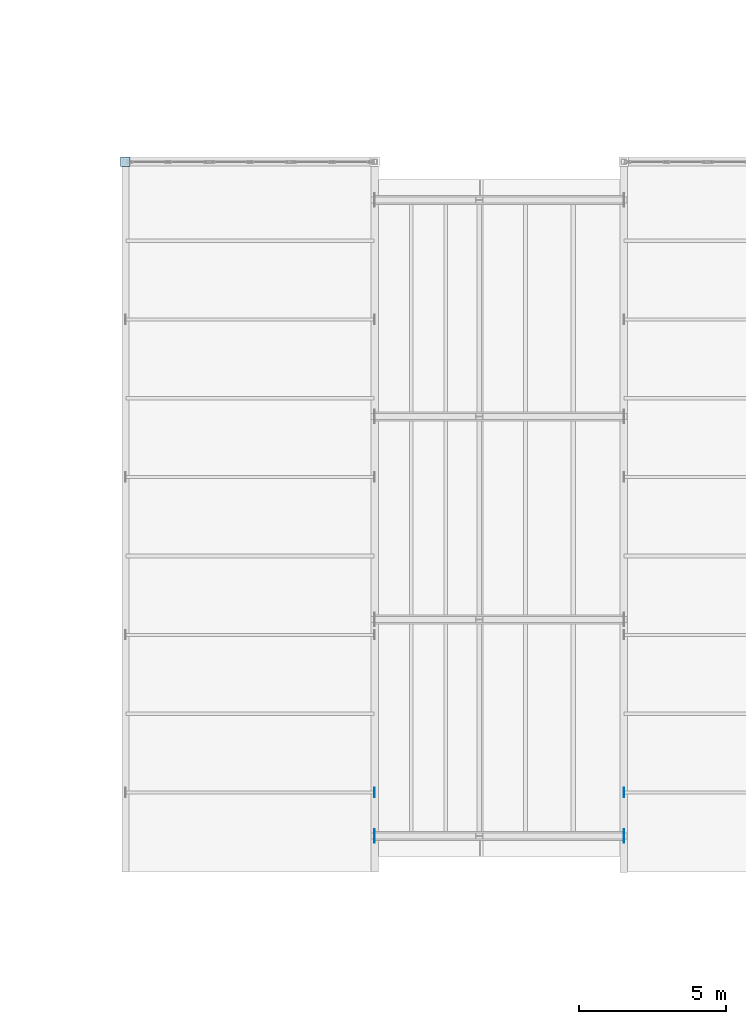
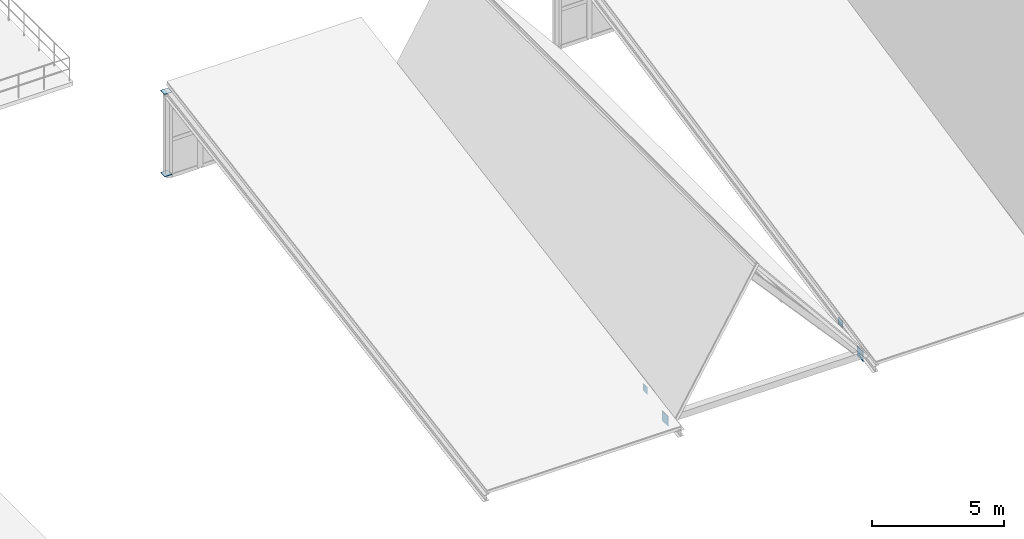
# One storey, part 61 of 77: 6 plates.
"""IFC4 building model written with IfcOpenShell, lengths in metres."""

from ifc_helpers import new_model, si_unit, direction, frame, origin, origin_2d, place, context, subcontext, project, spatial, rectangle, extrude, material, material_profile, profile_set, type_object, element, save


model = new_model("IFC4")

# Units and contexts
model_context = context("Model", 3, precision=1e-05, world=origin(), true_north=direction((0.0, 1.0)))
body_context = subcontext(model_context, "Body", "Model", "MODEL_VIEW")
ifc_project = project(units=[si_unit("LENGTHUNIT", "METRE"), si_unit("AREAUNIT", "SQUARE_METRE"), si_unit("VOLUMEUNIT", "CUBIC_METRE"), si_unit("PLANEANGLEUNIT", "RADIAN"), si_unit("MASSUNIT", "GRAM", prefix="KILO"), si_unit("THERMODYNAMICTEMPERATUREUNIT", "KELVIN"), si_unit("POWERUNIT", "WATT")], contexts=[model_context])

# Site, building, storey
site_placement = place(None, origin())
site = spatial("IfcSite", under=ifc_project, at=site_placement, CompositionType="ELEMENT")
building_placement = place(site_placement, origin())
building = spatial("IfcBuilding", under=site, at=building_placement, Name="Zhenchuan Central Fire Station", CompositionType="ELEMENT")
storey_placement = place(building_placement, frame((0.0, 0.0, 10.050048828125)))
storey = spatial("IfcBuildingStorey", under=building, at=storey_placement, Name="L03", CompositionType="ELEMENT", Elevation=10.050048828125)

# Plates
ifc_material = material(Name="Steel Q355B", Category="steel")
ifc_material_profile_1 = material_profile(ifc_material, rectangle(XDim=0.320068359375, YDim=0.320068359375, at=origin_2d()), Name="PL 320x320x20")
ifc_profile_set_1 = profile_set([ifc_material_profile_1], Name="Steel Q355B")
plate_type_1 = type_object("IfcPlateType", Name="PL-CAP20", PredefinedType="SHEET", material=ifc_profile_set_1)
for number, where, z_axis, x_axis, name in (
    (1, (56.0, 35.5, -0.01611328125), (0.0, 0.0, 1.0), (1.0, 0.0, 0.0), "Pavilion H01 North-Light Truss Post 1 end cap plate A"),
    (2, (56.0, 35.5, 3.78125), (0.0, 0.0, 1.0), (1.0, 0.0, 0.0), "Pavilion H01 North-Light Truss Post 1 end cap plate B"),
    (3, (64.48095703125, 13.989013671875, 0.123779296875), (1.0, 0.0, 0.0), (0.0, 1.0, 0.0), "Pavilion H01 Roof Purlin 1 end cap plate B"),
    (4, (72.9990234375, 13.989013671875, 0.212158203125), (1.0, 0.0, 0.0), (0.0, 1.0, 0.0), "Pavilion H03 Roof Purlin 1 end cap plate A"),
):
    element("IfcPlate", number, at=place(storey_placement, frame(where, z_axis=z_axis, x_axis=x_axis)), inside=storey, type_object=plate_type_1, Name=name, PredefinedType="SHEET", context=body_context, shape_type="SweptSolid", body=[
        extrude(rectangle(XDim=0.320068359375, YDim=0.320068359375, at=origin_2d()), origin(), (0.0, 0.0, 1.0), 0.02001953125),
    ])
ifc_material_profile_2 = material_profile(ifc_material, rectangle(XDim=0.4599609375, YDim=0.4599609375, at=origin_2d()), Name="PL 460x460x28")
ifc_profile_set_2 = profile_set([ifc_material_profile_2], Name="Steel Q355B")
plate_type_2 = type_object("IfcPlateType", Name="PL-GUS28-INT", PredefinedType="SHEET", material=ifc_profile_set_2)
for number, where, z_axis, x_axis, name in (
    (5, (64.48388671875, 12.5, -0.330078125), (1.0, 0.0, 0.0), (0.0, 1.0, 0.0), "Pavilion H02 Gable Bottom Chord 1 end cap plate A"),
    (6, (72.99609375, 12.5, -0.330078125), (1.0, 0.0, 0.0), (0.0, 1.0, 0.0), "Pavilion H02 Gable Bottom Chord 1 end cap plate B"),
):
    element("IfcPlate", number, at=place(storey_placement, frame(where, z_axis=z_axis, x_axis=x_axis)), inside=storey, type_object=plate_type_2, Name=name, PredefinedType="SHEET", context=body_context, shape_type="SweptSolid", body=[
        extrude(rectangle(XDim=0.4599609375, YDim=0.4599609375, at=origin_2d()), origin(), (0.0, 0.0, 1.0), 0.02001953125),
    ])

save(model, "model.ifc")
